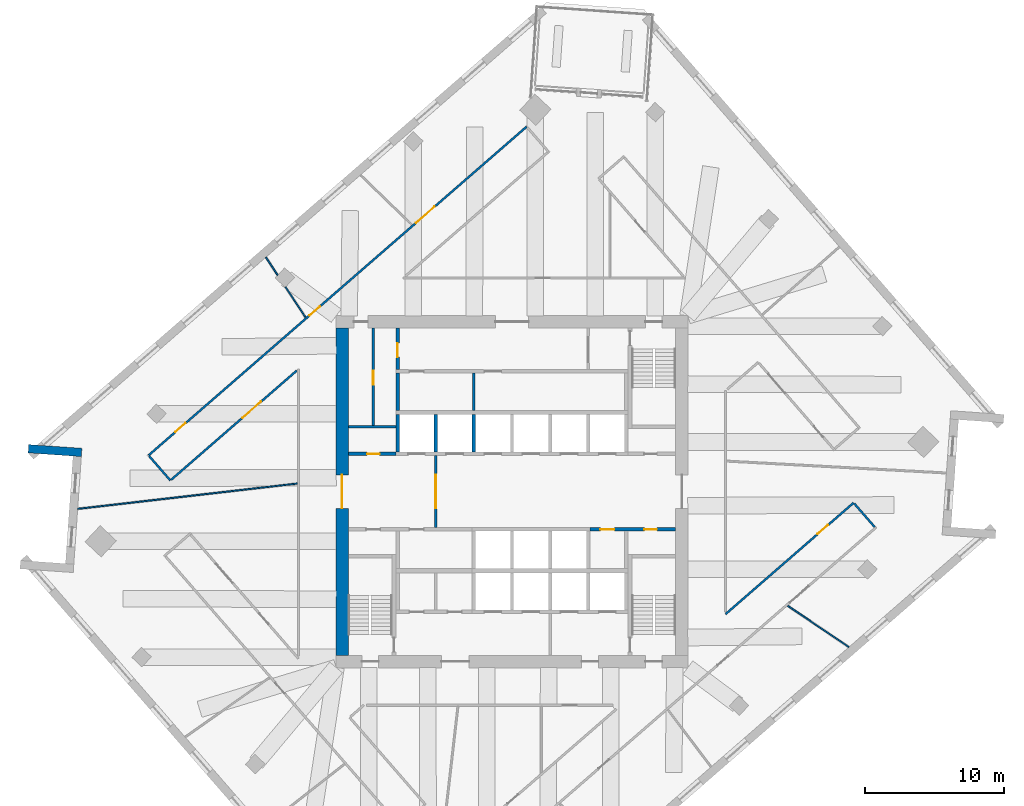
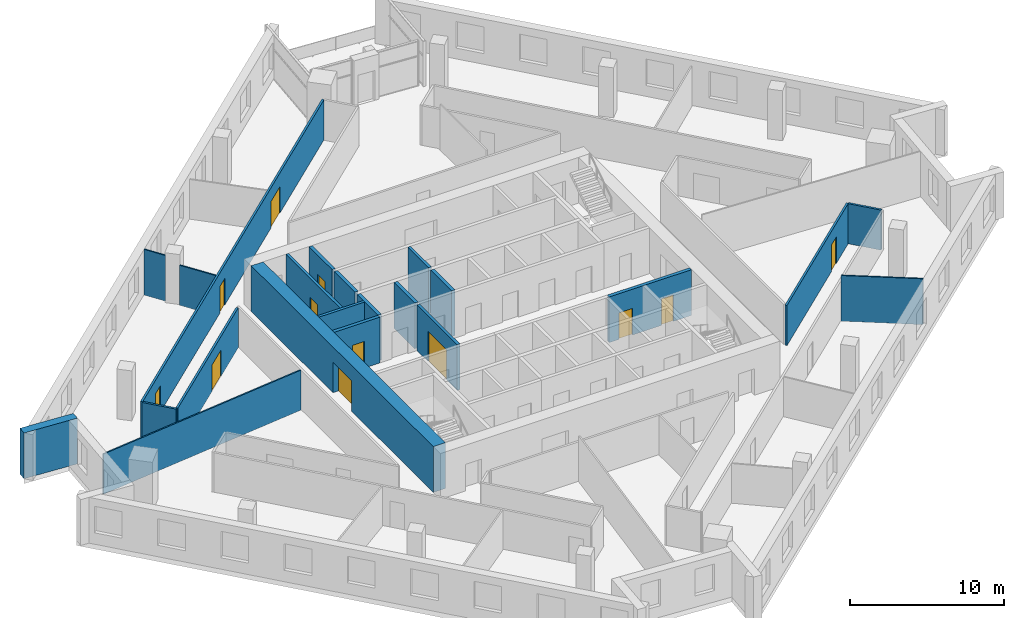
# One storey, part 6 of 11: 22 walls, 12 doors, 12 openings.
"""IFC4 building model written with IfcOpenShell, lengths in metres."""

from ifc_helpers import new_model, si_unit, direction, frame, frame_2d, origin, place, context, subcontext, project, spatial, rectangle, extrude, material, layer, layer_set, type_object, element, fill, save


model = new_model("IFC4")

# Units and contexts
model_context = context("Model", 3, precision=1e-05, world=origin(), true_north=direction((0.0, 1.0)))
body_context = subcontext(model_context, "Body", "Model", "MODEL_VIEW")
ifc_project = project(units=[si_unit("LENGTHUNIT", "METRE"), si_unit("AREAUNIT", "SQUARE_METRE"), si_unit("VOLUMEUNIT", "CUBIC_METRE"), si_unit("PLANEANGLEUNIT", "RADIAN"), si_unit("MASSUNIT", "GRAM", prefix="KILO")], contexts=[model_context])

# Site, building, storey
site_placement = place(None, origin())
site = spatial("IfcSite", under=ifc_project, at=site_placement, CompositionType="ELEMENT")
building_placement = place(site_placement, origin())
building = spatial("IfcBuilding", under=site, at=building_placement, Name="Dilmun Exchange Tower", CompositionType="ELEMENT")
storey_placement = place(building_placement, frame((0.0, 0.0, 189.300048828125)))
storey = spatial("IfcBuildingStorey", under=building, at=storey_placement, Name="L44", CompositionType="ELEMENT", Elevation=189.300048828125)

# Wall, opening, door
ifc_material_1 = material(Name="Concrete C40/50", Category="concrete")
ifc_layer_1 = layer(ifc_material_1, 0.199951171875)
ifc_layer_set_1 = layer_set([ifc_layer_1], Name="Concrete C40/50")
wall_type_1 = type_object("IfcWallType", Name="Core partition wall 200", PredefinedType="PARTITIONING", material=ifc_layer_set_1)
wall_1_placement = place(storey_placement, frame((-5.5, -2.594970703125, 0.0), z_axis=(0.0, 0.0, 1.0), x_axis=(0.0, 1.0, 0.0)))
wall_1 = element("IfcWall", 1, at=wall_1_placement, inside=storey, type_object=wall_type_1, Name="L44 core partition wall 10", PredefinedType="PARTITIONING", context=body_context, shape_type="SweptSolid", body=[
    extrude(rectangle(XDim=5.18994140625, YDim=0.199951171875, at=frame_2d((2.594970703125, 0.0))), origin(), (0.0, 0.0, 1.0), 3.619873046875),
])
opening_1_placement = place(wall_1_placement, frame((1.39501953125, 0.0, 0.0)))
opening_1 = element("IfcOpeningElement", 2, at=opening_1_placement, cuts=wall_1, Name="Opening CD1", PredefinedType="OPENING", context=body_context, shape_type="SweptSolid", body=[
    extrude(rectangle(XDim=2.39990234375, YDim=2.39990234375, at=frame_2d((1.199951171875, 1.199951171875))), frame((0.0, 0.10986328125, 0.0), z_axis=(0.0, -1.0, 0.0), x_axis=(1.0, 0.0, 0.0)), (0.0, 0.0, 1.0), 0.219970703125),
])
ifc_material_2 = material(Name="Fire-rated steel door set", Category="steel")
door_type_1 = type_object("IfcDoorType", Name="Core lobby door 2400x2400", OperationType="DOUBLE_DOOR_DOUBLE_SWING", PredefinedType="DOOR", material=ifc_material_2)
door_1_placement = place(opening_1_placement, origin())
door_1 = element("IfcDoor", 3, at=door_1_placement, inside=storey, type_object=door_type_1, Name="L44 door Lift lobby east", OperationType="SINGLE_SWING_LEFT", OverallHeight=2.39990234375, OverallWidth=2.39990234375, PredefinedType="DOOR", context=body_context, shape_type="SweptSolid", body=[
    extrude(rectangle(XDim=2.39990234375, YDim=2.39990234375, at=frame_2d((1.199951171875, 1.199951171875))), frame((0.0, 0.02490234375, 0.0), z_axis=(0.0, -1.0, 0.0), x_axis=(1.0, 0.0, 0.0)), (0.0, 0.0, 1.0), 0.050048828125),
])
fill(opening_1, door_1)

# Wall
wall_2_placement = place(storey_placement, frame((-11.794921875, 4.675048828125, 0.0), z_axis=(0.0, 0.0, 1.0), x_axis=(1.0, 0.0, 0.0)))
element("IfcWall", 4, at=wall_2_placement, inside=storey, type_object=wall_type_1, Name="L44 core partition wall 13", PredefinedType="PARTITIONING", context=body_context, shape_type="SweptSolid", body=[
    extrude(rectangle(XDim=3.4150390625, YDim=0.199951171875, at=frame_2d((1.70751953125, 0.0))), origin(), (0.0, 0.0, 1.0), 3.619873046875),
])

# Wall, opening, door
wall_3_placement = place(storey_placement, frame((-10.0, 4.780029296875, 0.0), z_axis=(0.0, 0.0, 1.0), x_axis=(0.0, 1.0, 0.0)))
wall_3 = element("IfcWall", 5, at=wall_3_placement, inside=storey, type_object=wall_type_1, Name="L44 core partition wall 14", PredefinedType="PARTITIONING", context=body_context, shape_type="SweptSolid", body=[
    extrude(rectangle(XDim=7.014892578125, YDim=0.199951171875, at=frame_2d((3.50732421875, 0.0))), origin(), (0.0, 0.0, 1.0), 3.619873046875),
])
opening_2_placement = place(wall_3_placement, frame((2.919921875, 0.0, 0.0)))
opening_2 = element("IfcOpeningElement", 6, at=opening_2_placement, cuts=wall_3, Name="Opening CD4", PredefinedType="OPENING", context=body_context, shape_type="SweptSolid", body=[
    extrude(rectangle(XDim=1.0, YDim=2.10009765625, at=frame_2d((0.5, 1.050048828125))), frame((0.0, 0.10986328125, 0.0), z_axis=(0.0, -1.0, 0.0), x_axis=(1.0, 0.0, 0.0)), (0.0, 0.0, 1.0), 0.219970703125),
])
door_type_2 = type_object("IfcDoorType", Name="Core room door 1000x2100", OperationType="SINGLE_SWING_LEFT", PredefinedType="DOOR", material=ifc_material_2)
door_2_placement = place(opening_2_placement, origin())
door_2 = element("IfcDoor", 7, at=door_2_placement, inside=storey, type_object=door_type_2, Name="L44 door Comms room", OperationType="SINGLE_SWING_LEFT", OverallHeight=2.10009765625, OverallWidth=1.0, PredefinedType="DOOR", context=body_context, shape_type="SweptSolid", body=[
    extrude(rectangle(XDim=1.0, YDim=2.10009765625, at=frame_2d((0.5, 1.050048828125))), frame((0.0, 0.02490234375, 0.0), z_axis=(0.0, -1.0, 0.0), x_axis=(1.0, 0.0, 0.0)), (0.0, 0.0, 1.0), 0.050048828125),
])
fill(opening_2, door_2)

# Wall
wall_4_placement = place(storey_placement, frame((-2.75, 5.85498046875, 0.0), z_axis=(0.0, 0.0, 1.0), x_axis=(0.0, 1.0, 0.0)))
element("IfcWall", 8, at=wall_4_placement, inside=storey, type_object=wall_type_1, Name="L44 core partition wall 16", PredefinedType="PARTITIONING", context=body_context, shape_type="SweptSolid", body=[
    extrude(rectangle(XDim=2.68994140625, YDim=0.199951171875, at=frame_2d((1.344970703125, 0.0))), origin(), (0.0, 0.0, 1.0), 3.619873046875),
])

# Wall, openings, doors
ifc_layer_2 = layer(ifc_material_1, 0.25)
ifc_layer_set_2 = layer_set([ifc_layer_2], Name="Concrete C40/50")
wall_type_2 = type_object("IfcWallType", Name="Core partition wall 250", PredefinedType="PARTITIONING", material=ifc_layer_set_2)
wall_5_placement = place(storey_placement, frame((5.6298828125, -2.72509765625, 0.0), z_axis=(0.0, 0.0, 1.0), x_axis=(1.0, 0.0, 0.0)))
wall_5 = element("IfcWall", 9, at=wall_5_placement, inside=storey, type_object=wall_type_2, Name="L44 core partition wall 09", PredefinedType="PARTITIONING", context=body_context, shape_type="SweptSolid", body=[
    extrude(rectangle(XDim=6.1650390625, YDim=0.25, at=frame_2d((3.08251953125, 0.0))), origin(), (0.0, 0.0, 1.0), 3.619873046875),
])
opening_3_placement = place(wall_5_placement, frame((0.7451171875, 0.0, 0.0)))
opening_3 = element("IfcOpeningElement", 10, at=opening_3_placement, cuts=wall_5, Name="Opening CD4", PredefinedType="OPENING", context=body_context, shape_type="SweptSolid", body=[
    extrude(rectangle(XDim=1.0, YDim=2.10009765625, at=frame_2d((0.5, 1.050048828125))), frame((0.0, 0.135009765625, 0.0), z_axis=(0.0, -1.0, 0.0), x_axis=(1.0, 0.0, 0.0)), (0.0, 0.0, 1.0), 0.27001953125),
])
opening_4_placement = place(wall_5_placement, frame((3.919921875, 0.0, 0.0)))
opening_4 = element("IfcOpeningElement", 11, at=opening_4_placement, cuts=wall_5, Name="Opening CD6", PredefinedType="OPENING", context=body_context, shape_type="SweptSolid", body=[
    extrude(rectangle(XDim=0.89990234375, YDim=2.10009765625, at=frame_2d((0.449951171875, 1.050048828125))), frame((0.0, 0.135009765625, 0.0), z_axis=(0.0, -1.0, 0.0), x_axis=(1.0, 0.0, 0.0)), (0.0, 0.0, 1.0), 0.27001953125),
])
door_3_placement = place(opening_3_placement, origin())
door_3 = element("IfcDoor", 12, at=door_3_placement, inside=storey, type_object=door_type_2, Name="L44 door Cleaners' store", OperationType="SINGLE_SWING_LEFT", OverallHeight=2.10009765625, OverallWidth=1.0, PredefinedType="DOOR", context=body_context, shape_type="SweptSolid", body=[
    extrude(rectangle(XDim=1.0, YDim=2.10009765625, at=frame_2d((0.5, 1.050048828125))), frame((0.0, 0.02490234375, 0.0), z_axis=(0.0, -1.0, 0.0), x_axis=(1.0, 0.0, 0.0)), (0.0, 0.0, 1.0), 0.050048828125),
])
fill(opening_3, door_3)
door_type_3 = type_object("IfcDoorType", Name="Core room door 900x2100", OperationType="SINGLE_SWING_LEFT", PredefinedType="DOOR", material=ifc_material_2)
door_4_placement = place(opening_4_placement, origin())
door_4 = element("IfcDoor", 13, at=door_4_placement, inside=storey, type_object=door_type_3, Name="L44 door Comms riser", OperationType="SINGLE_SWING_LEFT", OverallHeight=2.10009765625, OverallWidth=0.89990234375, PredefinedType="DOOR", context=body_context, shape_type="SweptSolid", body=[
    extrude(rectangle(XDim=0.89990234375, YDim=2.10009765625, at=frame_2d((0.449951171875, 1.050048828125))), frame((0.0, 0.02490234375, 0.0), z_axis=(0.0, -1.0, 0.0), x_axis=(1.0, 0.0, 0.0)), (0.0, 0.0, 1.0), 0.050048828125),
])
fill(opening_4, door_4)

# Wall, opening, door
wall_6_placement = place(storey_placement, frame((-11.794921875, 2.72509765625, 0.0), z_axis=(0.0, 0.0, 1.0), x_axis=(1.0, 0.0, 0.0)))
wall_6 = element("IfcWall", 14, at=wall_6_placement, inside=storey, type_object=wall_type_2, Name="L44 core partition wall 11", PredefinedType="PARTITIONING", context=body_context, shape_type="SweptSolid", body=[
    extrude(rectangle(XDim=3.4150390625, YDim=0.25, at=frame_2d((1.70751953125, 0.0))), origin(), (0.0, 0.0, 1.0), 3.619873046875),
])
opening_5_placement = place(wall_6_placement, frame((1.344970703125, 0.0, 0.0)))
opening_5 = element("IfcOpeningElement", 15, at=opening_5_placement, cuts=wall_6, Name="Opening CD6", PredefinedType="OPENING", context=body_context, shape_type="SweptSolid", body=[
    extrude(rectangle(XDim=0.89990234375, YDim=2.10009765625, at=frame_2d((0.449951171875, 1.050048828125))), frame((0.0, 0.135009765625, 0.0), z_axis=(0.0, -1.0, 0.0), x_axis=(1.0, 0.0, 0.0)), (0.0, 0.0, 1.0), 0.27001953125),
])
door_5_placement = place(opening_5_placement, origin())
door_5 = element("IfcDoor", 16, at=door_5_placement, inside=storey, type_object=door_type_3, Name="L44 door Plumbing riser", OperationType="SINGLE_SWING_LEFT", OverallHeight=2.10009765625, OverallWidth=0.89990234375, PredefinedType="DOOR", context=body_context, shape_type="SweptSolid", body=[
    extrude(rectangle(XDim=0.89990234375, YDim=2.10009765625, at=frame_2d((0.449951171875, 1.050048828125))), frame((0.0, 0.02490234375, 0.0), z_axis=(0.0, -1.0, 0.0), x_axis=(1.0, 0.0, 0.0)), (0.0, 0.0, 1.0), 0.050048828125),
])
fill(opening_5, door_5)

# Wall
wall_7_placement = place(storey_placement, frame((-8.25, 5.85498046875, 0.0), z_axis=(0.0, 0.0, 1.0), x_axis=(0.0, 1.0, 0.0)))
element("IfcWall", 17, at=wall_7_placement, inside=storey, type_object=wall_type_2, Name="L44 core partition wall 15", PredefinedType="PARTITIONING", context=body_context, shape_type="SweptSolid", body=[
    extrude(rectangle(XDim=2.68994140625, YDim=0.25, at=frame_2d((1.344970703125, 0.0))), origin(), (0.0, 0.0, 1.0), 3.619873046875),
])

# Wall, opening, door
wall_8_placement = place(storey_placement, frame((-8.25, 8.804931640625, 0.0), z_axis=(0.0, 0.0, 1.0), x_axis=(0.0, 1.0, 0.0)))
wall_8 = element("IfcWall", 18, at=wall_8_placement, inside=storey, type_object=wall_type_2, Name="L44 core partition wall 19", PredefinedType="PARTITIONING", context=body_context, shape_type="SweptSolid", body=[
    extrude(rectangle(XDim=2.989990234375, YDim=0.25, at=frame_2d((1.4951171875, 0.0))), origin(), (0.0, 0.0, 1.0), 3.619873046875),
])
opening_6_placement = place(wall_8_placement, frame((0.89501953125, 0.0, 0.0)))
opening_6 = element("IfcOpeningElement", 19, at=opening_6_placement, cuts=wall_8, Name="Opening CD4", PredefinedType="OPENING", context=body_context, shape_type="SweptSolid", body=[
    extrude(rectangle(XDim=1.0, YDim=2.10009765625, at=frame_2d((0.5, 1.050048828125))), frame((0.0, 0.135009765625, 0.0), z_axis=(0.0, -1.0, 0.0), x_axis=(1.0, 0.0, 0.0)), (0.0, 0.0, 1.0), 0.27001953125),
])
door_6_placement = place(opening_6_placement, origin())
door_6 = element("IfcDoor", 20, at=door_6_placement, inside=storey, type_object=door_type_2, Name="L44 door Security room", OperationType="SINGLE_SWING_LEFT", OverallHeight=2.10009765625, OverallWidth=1.0, PredefinedType="DOOR", context=body_context, shape_type="SweptSolid", body=[
    extrude(rectangle(XDim=1.0, YDim=2.10009765625, at=frame_2d((0.5, 1.050048828125))), frame((0.0, 0.02490234375, 0.0), z_axis=(0.0, -1.0, 0.0), x_axis=(1.0, 0.0, 0.0)), (0.0, 0.0, 1.0), 0.050048828125),
])
fill(opening_6, door_6)

ifc_material_3 = material(Name="Concrete C60/75", Category="concrete")
ifc_layer_3 = layer(ifc_material_3, 0.89990234375)
ifc_layer_set_3 = layer_set([ifc_layer_3], Name="Concrete C60/75")
wall_type_3 = type_object("IfcWallType", Name="Core shear wall 900 Concrete C60/75", PredefinedType="SHEAR", material=ifc_layer_set_3)
wall_9_placement = place(storey_placement, frame((-12.25, -11.800048828125, 0.0), z_axis=(0.0, 0.0, 1.0), x_axis=(0.0, 1.0, 0.0)))
wall_9 = element("IfcWall", 21, at=wall_9_placement, inside=storey, type_object=wall_type_3, Name="L44 core shear wall W", PredefinedType="SHEAR", context=body_context, shape_type="SweptSolid", body=[
    extrude(rectangle(XDim=23.60009765625, YDim=0.89990234375, at=frame_2d((11.800048828125, 0.0))), origin(), (0.0, 0.0, 1.0), 3.619873046875),
])
opening_7_placement = place(wall_9_placement, frame((10.60009765625, 0.0, 0.0)))
opening_7 = element("IfcOpeningElement", 22, at=opening_7_placement, cuts=wall_9, Name="Opening CD1", PredefinedType="OPENING", context=body_context, shape_type="SweptSolid", body=[
    extrude(rectangle(XDim=2.39990234375, YDim=2.39990234375, at=frame_2d((1.199951171875, 1.199951171875))), frame((0.0, 0.4599609375, 0.0), z_axis=(0.0, -1.0, 0.0), x_axis=(1.0, 0.0, 0.0)), (0.0, 0.0, 1.0), 0.919921875),
])
door_7_placement = place(opening_7_placement, origin())
door_7 = element("IfcDoor", 23, at=door_7_placement, inside=storey, type_object=door_type_1, Name="L44 door Central lift lobby", OperationType="SINGLE_SWING_LEFT", OverallHeight=2.39990234375, OverallWidth=2.39990234375, PredefinedType="DOOR", context=body_context, shape_type="SweptSolid", body=[
    extrude(rectangle(XDim=2.39990234375, YDim=2.39990234375, at=frame_2d((1.199951171875, 1.199951171875))), frame((0.0, 0.02490234375, 0.0), z_axis=(0.0, -1.0, 0.0), x_axis=(1.0, 0.0, 0.0)), (0.0, 0.0, 1.0), 0.050048828125),
])
fill(opening_7, door_7)

# Wall, openings, doors
ifc_material_4 = material(Name="Corridor wall 150")
ifc_layer_4 = layer(ifc_material_4, 0.14990234375)
ifc_layer_set_4 = layer_set([ifc_layer_4], Name="Corridor wall 150")
wall_type_4 = type_object("IfcWallType", Name="Corridor wall 150", PredefinedType="PARTITIONING", material=ifc_layer_set_4)
wall_10_placement = place(storey_placement, frame((-26.2080078125, 2.615966796875, 0.0), z_axis=(0.0, 0.0, 1.0), x_axis=(0.754710701231, 0.656057739416, 0.0)))
wall_10 = element("IfcWall", 24, at=wall_10_placement, inside=storey, type_object=wall_type_4, Name="Corridor wall", PredefinedType="PARTITIONING", context=body_context, shape_type="SweptSolid", body=[
    extrude(rectangle(XDim=36.126220703125, YDim=0.14990234375, at=frame_2d((18.06298828125, 0.0))), origin(), (0.0, 0.0, 1.0), 3.169921875),
])
opening_8_placement = place(wall_10_placement, frame((2.550537109375, 0.0, 0.0)))
opening_8 = element("IfcOpeningElement", 25, at=opening_8_placement, cuts=wall_10, Name="Opening TF44-D04", PredefinedType="OPENING", context=body_context, shape_type="SweptSolid", body=[
    extrude(rectangle(XDim=1.0, YDim=2.10009765625, at=frame_2d((0.5, 1.050048828125))), frame((0.0, 0.0849609375, 0.0), z_axis=(0.0, -1.0, 0.0), x_axis=(1.0, 0.0, 0.0)), (0.0, 0.0, 1.0), 0.169921875),
])
opening_9_placement = place(wall_10_placement, frame((15.36181640625, 0.0, 0.0)))
opening_9 = element("IfcOpeningElement", 26, at=opening_9_placement, cuts=wall_10, Name="Opening TF44-D06", PredefinedType="OPENING", context=body_context, shape_type="SweptSolid", body=[
    extrude(rectangle(XDim=1.0, YDim=2.10009765625, at=frame_2d((0.5, 1.050048828125))), frame((0.0, 0.0849609375, 0.0), z_axis=(0.0, -1.0, 0.0), x_axis=(1.0, 0.0, 0.0)), (0.0, 0.0, 1.0), 0.169921875),
])
opening_10_placement = place(wall_10_placement, frame((25.54150390625, 0.0, 0.0)))
opening_10 = element("IfcOpeningElement", 27, at=opening_10_placement, cuts=wall_10, Name="Opening TF44-D10", PredefinedType="OPENING", context=body_context, shape_type="SweptSolid", body=[
    extrude(rectangle(XDim=1.800048828125, YDim=2.10009765625, at=frame_2d((0.89990234375, 1.050048828125))), frame((0.0, 0.0849609375, 0.0), z_axis=(0.0, -1.0, 0.0), x_axis=(1.0, 0.0, 0.0)), (0.0, 0.0, 1.0), 0.169921875),
])
ifc_material_5 = material(Name="Fire door 1000 x 2100")
door_type_4 = type_object("IfcDoorType", Name="Fire door 1000 x 2100", OperationType="NOTDEFINED", PredefinedType="DOOR", material=ifc_material_5)
door_8_placement = place(opening_8_placement, origin())
door_8 = element("IfcDoor", 28, at=door_8_placement, inside=storey, type_object=door_type_4, Name="Door TF44-D04", OperationType="SINGLE_SWING_LEFT", OverallHeight=2.10009765625, OverallWidth=1.0, PredefinedType="DOOR", context=body_context, shape_type="SweptSolid", body=[
    extrude(rectangle(XDim=1.0, YDim=2.10009765625, at=frame_2d((0.5, 1.050048828125))), frame((0.0, 0.02490234375, 0.0), z_axis=(0.0, -1.0, 0.0), x_axis=(1.0, 0.0, 0.0)), (0.0, 0.0, 1.0), 0.050048828125),
])
fill(opening_8, door_8)
door_9_placement = place(opening_9_placement, origin())
door_9 = element("IfcDoor", 29, at=door_9_placement, inside=storey, type_object=door_type_4, Name="Door TF44-D06", OperationType="SINGLE_SWING_RIGHT", OverallHeight=2.10009765625, OverallWidth=1.0, PredefinedType="DOOR", context=body_context, shape_type="SweptSolid", body=[
    extrude(rectangle(XDim=1.0, YDim=2.10009765625, at=frame_2d((0.5, 1.050048828125))), frame((0.0, 0.02490234375, 0.0), z_axis=(0.0, -1.0, 0.0), x_axis=(1.0, 0.0, 0.0)), (0.0, 0.0, 1.0), 0.050048828125),
])
fill(opening_9, door_9)
ifc_material_6 = material(Name="Fire door pair 1800 x 2100")
door_type_5 = type_object("IfcDoorType", Name="Fire door pair 1800 x 2100", OperationType="NOTDEFINED", PredefinedType="DOOR", material=ifc_material_6)
door_10_placement = place(opening_10_placement, origin())
door_10 = element("IfcDoor", 30, at=door_10_placement, inside=storey, type_object=door_type_5, Name="Door TF44-D10", OperationType="DOUBLE_DOOR_SINGLE_SWING", OverallHeight=2.10009765625, OverallWidth=1.800048828125, PredefinedType="DOOR", context=body_context, shape_type="SweptSolid", body=[
    extrude(rectangle(XDim=1.800048828125, YDim=2.10009765625, at=frame_2d((0.89990234375, 1.050048828125))), frame((0.0, 0.02490234375, 0.0), z_axis=(0.0, -1.0, 0.0), x_axis=(1.0, 0.0, 0.0)), (0.0, 0.0, 1.0), 0.050048828125),
])
fill(opening_10, door_10)

# Wall
wall_11_placement = place(storey_placement, frame((-26.15869140625, 2.559326171875, 0.0), z_axis=(0.0, 0.0, 1.0), x_axis=(0.65619691316, -0.754589697226, 0.0)))
element("IfcWall", 31, at=wall_11_placement, inside=storey, type_object=wall_type_4, Name="Corridor wall", PredefinedType="PARTITIONING", context=body_context, shape_type="SweptSolid", body=[
    extrude(rectangle(XDim=2.324951171875, YDim=0.14990234375, at=frame_2d((1.16259765625, 0.0))), origin(), (0.0, 0.0, 1.0), 3.169921875),
])

# Wall, opening, door
wall_12_placement = place(storey_placement, frame((-24.576416015625, 0.854248046875, 0.0), z_axis=(0.0, 0.0, 1.0), x_axis=(0.75472382762, 0.656042638875, 0.0)))
wall_12 = element("IfcWall", 32, at=wall_12_placement, inside=storey, type_object=wall_type_4, Name="Corridor wall", PredefinedType="PARTITIONING", context=body_context, shape_type="SweptSolid", body=[
    extrude(rectangle(XDim=11.994140625, YDim=0.14990234375, at=frame_2d((5.9970703125, 0.0))), origin(), (0.0, 0.0, 1.0), 3.169921875),
])
opening_11_placement = place(wall_12_placement, frame((6.800048828125, 0.0, 0.0)))
opening_11 = element("IfcOpeningElement", 33, at=opening_11_placement, cuts=wall_12, Name="Opening TF44-D03", PredefinedType="OPENING", context=body_context, shape_type="SweptSolid", body=[
    extrude(rectangle(XDim=1.800048828125, YDim=2.10009765625, at=frame_2d((0.89990234375, 1.050048828125))), frame((0.0, 0.0849609375, 0.0), z_axis=(0.0, -1.0, 0.0), x_axis=(1.0, 0.0, 0.0)), (0.0, 0.0, 1.0), 0.169921875),
])
door_11_placement = place(opening_11_placement, frame((1.800048828125, 0.0, 0.0), z_axis=(0.0, 0.0, 1.0), x_axis=(-1.0, 0.0, 0.0)))
door_11 = element("IfcDoor", 34, at=door_11_placement, inside=storey, type_object=door_type_5, Name="Door TF44-D03", OperationType="DOUBLE_DOOR_SINGLE_SWING", OverallHeight=2.10009765625, OverallWidth=1.800048828125, PredefinedType="DOOR", context=body_context, shape_type="SweptSolid", body=[
    extrude(rectangle(XDim=1.800048828125, YDim=2.10009765625, at=frame_2d((0.89990234375, 1.050048828125))), frame((0.0, 0.02490234375, 0.0), z_axis=(0.0, -1.0, 0.0), x_axis=(1.0, 0.0, 0.0)), (0.0, 0.0, 1.0), 0.050048828125),
])
fill(opening_11, door_11)

wall_13_placement = place(storey_placement, frame((15.39990234375, -8.8310546875, 0.0), z_axis=(0.0, 0.0, 1.0), x_axis=(0.754715065445, 0.656052718911, 0.0)))
wall_13 = element("IfcWall", 35, at=wall_13_placement, inside=storey, type_object=wall_type_4, Name="Corridor wall", PredefinedType="PARTITIONING", context=body_context, shape_type="SweptSolid", body=[
    extrude(rectangle(XDim=12.23388671875, YDim=0.14990234375, at=frame_2d((6.116943359375, 0.0))), origin(), (0.0, 0.0, 1.0), 3.169921875),
])
opening_12_placement = place(wall_13_placement, frame((8.800048828125, 0.0, 0.0)))
opening_12 = element("IfcOpeningElement", 36, at=opening_12_placement, cuts=wall_13, Name="Opening TF44-D16", PredefinedType="OPENING", context=body_context, shape_type="SweptSolid", body=[
    extrude(rectangle(XDim=1.0, YDim=2.10009765625, at=frame_2d((0.5, 1.050048828125))), frame((0.0, 0.0849609375, 0.0), z_axis=(0.0, -1.0, 0.0), x_axis=(1.0, 0.0, 0.0)), (0.0, 0.0, 1.0), 0.169921875),
])
door_12_placement = place(opening_12_placement, origin())
door_12 = element("IfcDoor", 37, at=door_12_placement, inside=storey, type_object=door_type_4, Name="Door TF44-D16", OperationType="SINGLE_SWING_LEFT", OverallHeight=2.10009765625, OverallWidth=1.0, PredefinedType="DOOR", context=body_context, shape_type="SweptSolid", body=[
    extrude(rectangle(XDim=1.0, YDim=2.10009765625, at=frame_2d((0.5, 1.050048828125))), frame((0.0, 0.02490234375, 0.0), z_axis=(0.0, -1.0, 0.0), x_axis=(1.0, 0.0, 0.0)), (0.0, 0.0, 1.0), 0.050048828125),
])
fill(opening_12, door_12)

# Walls
wall_14_placement = place(storey_placement, frame((24.68212890625, -0.861572265625, 0.0), z_axis=(0.0, 0.0, 1.0), x_axis=(0.656243185308, -0.754549456123, 0.0)))
element("IfcWall", 38, at=wall_14_placement, inside=storey, type_object=wall_type_4, Name="Corridor wall", PredefinedType="PARTITIONING", context=body_context, shape_type="SweptSolid", body=[
    extrude(rectangle(XDim=2.25, YDim=0.14990234375, at=frame_2d((1.125, 0.0))), origin(), (0.0, 0.0, 1.0), 3.169921875),
])
ifc_layer_5 = layer(ifc_material_1, 0.25)
ifc_layer_set_5 = layer_set([ifc_layer_5], Name="Concrete C40/50")
wall_type_5 = type_object("IfcWallType", Name="Lift shaft wall 250", PredefinedType="SOLIDWALL", material=ifc_layer_set_5)
for number, where, z_axis, x_axis, name in (
    (39, (-8.25, 2.85009765625, 0.0), (0.0, 0.0, 1.0), (0.0, 1.0, 0.0), "L44 lift shaft divider N10"),
    (40, (-5.5, 2.85009765625, 0.0), (0.0, 0.0, 1.0), (0.0, 1.0, 0.0), "L44 lift shaft divider N11"),
    (41, (-2.75, 2.85009765625, 0.0), (0.0, 0.0, 1.0), (0.0, 1.0, 0.0), "L44 lift shaft divider N12"),
):
    element("IfcWall", number, at=place(storey_placement, frame(where, z_axis=z_axis, x_axis=x_axis)), inside=storey, type_object=wall_type_5, Name=name, PredefinedType="SOLIDWALL", context=body_context, shape_type="SweptSolid", body=[
        extrude(rectangle(XDim=2.699951171875, YDim=0.25, at=frame_2d((1.35009765625, 0.0))), origin(), (0.0, 0.0, 1.0), 3.619873046875),
    ])
ifc_material_7 = material(Name="Partition 100")
ifc_layer_6 = layer(ifc_material_7, 0.10009765625)
ifc_layer_set_6 = layer_set([ifc_layer_6], Name="Partition 100")
wall_type_6 = type_object("IfcWallType", Name="Partition 100", PredefinedType="PARTITIONING", material=ifc_layer_set_6)
wall_15_placement = place(storey_placement, frame((-31.31640625, -1.24169921875, 0.0), z_axis=(0.0, 0.0, 1.0), x_axis=(0.993421473136, 0.114515399452, 0.0)))
element("IfcWall", 42, at=wall_15_placement, inside=storey, type_object=wall_type_6, Name="Partition", PredefinedType="PARTITIONING", context=body_context, shape_type="SweptSolid", body=[
    extrude(rectangle(XDim=15.940673828125, YDim=0.10009765625, at=frame_2d((7.97021484375, 0.0))), origin(), (0.0, 0.0, 1.0), 3.169921875),
])
wall_16_placement = place(storey_placement, frame((-17.74658203125, 16.90087890625, 0.0), z_axis=(0.0, 0.0, 1.0), x_axis=(0.550725721205, -0.834686276396, 0.0)))
element("IfcWall", 43, at=wall_16_placement, inside=storey, type_object=wall_type_6, Name="Partition", PredefinedType="PARTITIONING", context=body_context, shape_type="SweptSolid", body=[
    extrude(rectangle(XDim=1.547607421875, YDim=0.10009765625, at=frame_2d((0.77392578125, 0.0))), origin(), (0.0, 0.0, 1.0), 3.619873046875),
])
wall_17_placement = place(storey_placement, frame((-16.328369140625, 14.75146484375, 0.0), z_axis=(0.0, 0.0, 1.0), x_axis=(0.550713616712, -0.83469426281, 0.0)))
element("IfcWall", 44, at=wall_17_placement, inside=storey, type_object=wall_type_6, Name="Partition", PredefinedType="PARTITIONING", context=body_context, shape_type="SweptSolid", body=[
    extrude(rectangle(XDim=2.61865234375, YDim=0.10009765625, at=frame_2d((1.309326171875, 0.0))), origin(), (0.0, 0.0, 1.0), 3.169921875),
])
wall_18_placement = place(storey_placement, frame((19.88232421875, -8.23095703125, 0.0), z_axis=(0.0, 0.0, 1.0), x_axis=(0.828654525471, -0.559760374997, 0.0)))
element("IfcWall", 45, at=wall_18_placement, inside=storey, type_object=wall_type_6, Name="Partition", PredefinedType="PARTITIONING", context=body_context, shape_type="SweptSolid", body=[
    extrude(rectangle(XDim=5.322265625, YDim=0.10009765625, at=frame_2d((2.6611328125, 0.0))), origin(), (0.0, 0.0, 1.0), 3.619873046875),
])
ifc_material_8 = material(Name="Precast concrete C50/60", Category="concrete")
ifc_layer_7 = layer(ifc_material_8, 0.60009765625)
ifc_layer_set_7 = layer_set([ifc_layer_7], Name="Precast concrete C50/60")
wall_type_7 = type_object("IfcWallType", Name="Precast stone-clad wall 600", PredefinedType="STANDARD", material=ifc_layer_set_7)
wall_19_placement = place(storey_placement, frame((-34.870849609375, 3.093505859375, 0.0), z_axis=(0.0, 0.0, 1.0), x_axis=(0.997563916762, -0.069758382828, 0.0)))
element("IfcWall", 46, at=wall_19_placement, inside=storey, type_object=wall_type_7, Name="Facade wall L44-04", PredefinedType="STANDARD", context=body_context, shape_type="SweptSolid", body=[
    extrude(rectangle(XDim=3.84619140625, YDim=0.60009765625, at=frame_2d((1.923095703125, 0.0))), origin(), (0.0, 0.0, 1.0), 3.619873046875),
])

save(model, "model.ifc")
